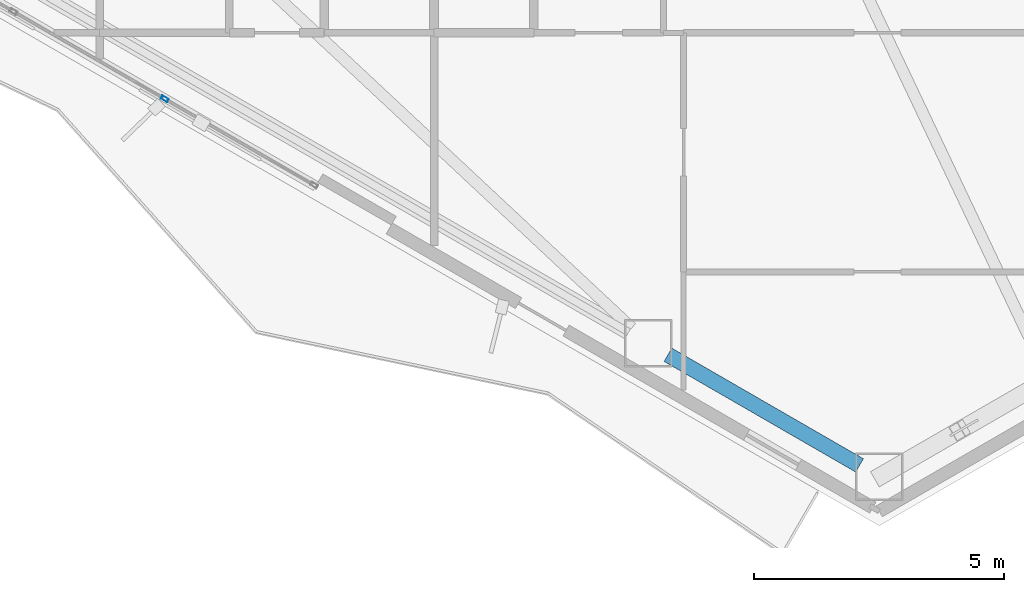
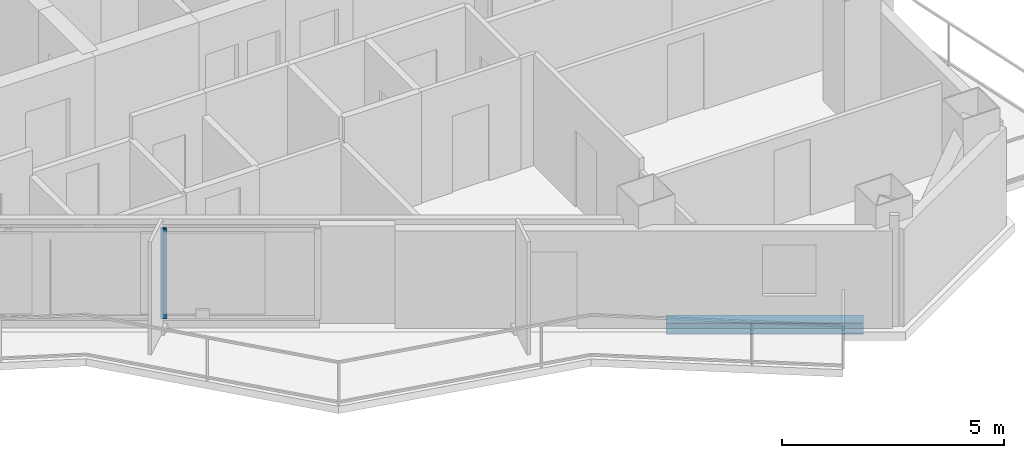
# One storey, part 3 of 19: 1 beam, 1 member, 1 element without a shape of its own.
"""IFC4 building model written with IfcOpenShell, lengths in metres."""

from ifc_helpers import new_model, si_unit, direction, frame, origin, origin_2d, place, context, subcontext, project, spatial, hollow_rectangle, i_section, extrude, material, layer, layer_set, material_profile, profile_set, type_object, element, aggregate, save


model = new_model("IFC4")

# Units and contexts
model_context = context("Model", 3, precision=1e-05, world=origin(), true_north=direction((0.0, 1.0)))
body_context = subcontext(model_context, "Body", "Model", "MODEL_VIEW")
ifc_project = project(units=[si_unit("LENGTHUNIT", "METRE"), si_unit("AREAUNIT", "SQUARE_METRE"), si_unit("VOLUMEUNIT", "CUBIC_METRE"), si_unit("PLANEANGLEUNIT", "RADIAN"), si_unit("MASSUNIT", "GRAM", prefix="KILO")], contexts=[model_context])

# Site, building, storey
site_placement = place(None, origin())
site = spatial("IfcSite", under=ifc_project, at=site_placement, CompositionType="ELEMENT")
building_placement = place(site_placement, origin())
building = spatial("IfcBuilding", under=site, at=building_placement, Name="Mersakhor Tower and Convention Hall", CompositionType="ELEMENT")
storey_placement = place(building_placement, frame((0.0, 0.0, 141.0)))
storey = spatial("IfcBuildingStorey", under=building, at=storey_placement, Name="L39", CompositionType="ELEMENT", Elevation=141.0)

# Beam
ifc_material_1 = material(Name="Steel S355", Category="steel")
ifc_material_profile_1 = material_profile(ifc_material_1, i_section(OverallWidth=0.30908203125, OverallDepth=0.320556640625, WebThickness=0.013916015625, FlangeThickness=0.021728515625, at=origin_2d()), Name="UC 305x305x137")
ifc_profile_set_1 = profile_set([ifc_material_profile_1], Name="Steel S355")
beam_type = type_object("IfcBeamType", Name="BM-SPD-UC305", PredefinedType="SPANDREL", material=ifc_profile_set_1)
beam_placement = place(storey_placement, frame((37.826416015625, 7.082763671875, -0.400146484375), z_axis=(-0.866038875684, 0.49997666526, 0.0), x_axis=(-0.49997666526, -0.866038875684, 0.0)))
element("IfcBeam", 1, at=beam_placement, inside=storey, type_object=beam_type, Name="L39 Perimeter Spandrel Beam SPB-09", PredefinedType="SPANDREL", context=body_context, shape_type="SweptSolid", body=[
    extrude(i_section(OverallWidth=0.30908203125, OverallDepth=0.320556640625, WebThickness=0.013916015625, FlangeThickness=0.021728515625, at=origin_2d()), origin(), (0.0, 0.0, 1.0), 4.433837890625),
])

# Curtain wall, member
ifc_material_2 = material(Name="Dark solar low-E aluminium curtain wall", Category="aluminium")
ifc_layer = layer(ifc_material_2, 0.169921875)
ifc_layer_set = layer_set([ifc_layer], Name="Dark solar low-E aluminium curtain wall")
curtain_wall_type = type_object("IfcCurtainWallType", Name="CW-SYS-02", PredefinedType="USERDEFINED", material=ifc_layer_set)
curtain_wall_placement = place(storey_placement, origin())
curtain_wall = element("IfcCurtainWall", 2, at=curtain_wall_placement, inside=storey, type_object=curtain_wall_type, Name="L39 Dark-Glass Curtain Wall F3-B2", ObjectType="CURTAIN WALL", PredefinedType="USERDEFINED")
ifc_material_3 = material(Name="Anodised aluminium EN AW-6063 T6", Category="aluminium")
ifc_material_profile_2 = material_profile(ifc_material_3, hollow_rectangle(XDim=0.074951171875, YDim=0.14990234375, WallThickness=0.00634765625, at=origin_2d()), Name="RHS 150x75x6.3")
ifc_profile_set_2 = profile_set([ifc_material_profile_2], Name="Anodised aluminium EN AW-6063 T6")
member_type = type_object("IfcMemberType", Name="CWM-150x75", PredefinedType="MULLION", material=ifc_profile_set_2)
member_placement = place(storey_placement, frame((23.904052734375, 14.427978515625, 0.199951171875), z_axis=(0.0, 0.0, 1.0), x_axis=(-0.499990468363, -0.866030906807, 0.0)))
member = element("IfcMember", 3, at=member_placement, type_object=member_type, Name="CW-02 mullion 2", PredefinedType="MULLION", context=body_context, shape_type="SweptSolid", body=[
    extrude(hollow_rectangle(XDim=0.074951171875, YDim=0.14990234375, WallThickness=0.00634765625, at=origin_2d()), origin(), (0.0, 0.0, 1.0), 2.47998046875),
])
aggregate(curtain_wall, [member])

save(model, "model.ifc")
